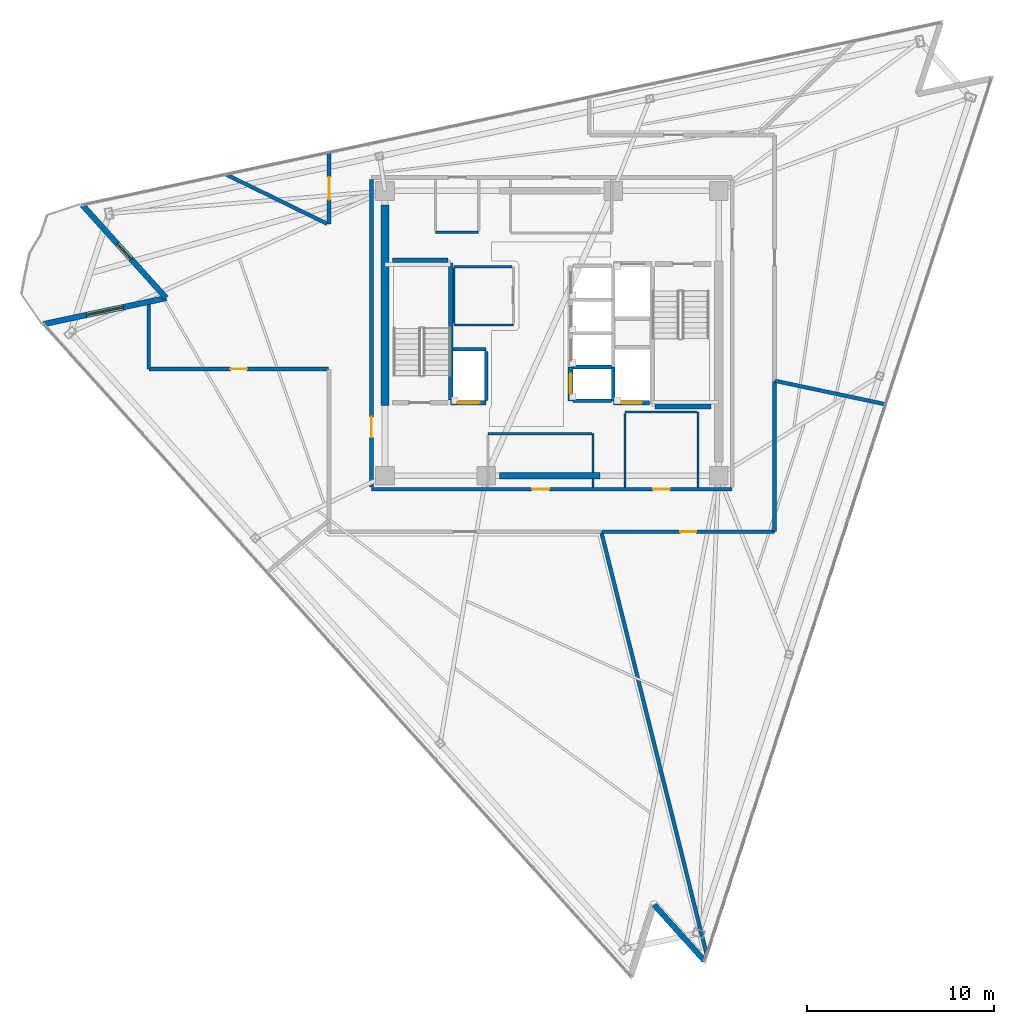
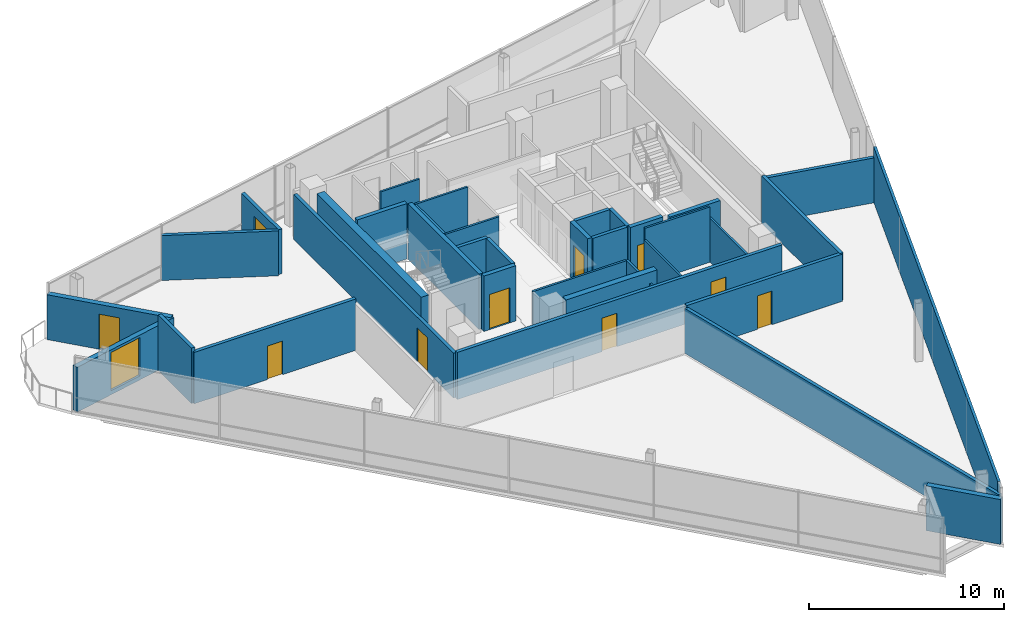
# One storey, part 10 of 15: 37 walls, 10 doors, 1 window, 11 openings.
"""IFC4 building model written with IfcOpenShell, lengths in metres."""

from ifc_helpers import new_model, si_unit, direction, frame, frame_2d, origin, place, context, subcontext, project, spatial, rectangle, extrude, material, layer, layer_set, type_object, element, fill, save


model = new_model("IFC4")

# Units and contexts
model_context = context("Model", 3, precision=1e-05, world=origin(), true_north=direction((0.0, 1.0)))
body_context = subcontext(model_context, "Body", "Model", "MODEL_VIEW")
ifc_project = project(units=[si_unit("LENGTHUNIT", "METRE"), si_unit("AREAUNIT", "SQUARE_METRE"), si_unit("VOLUMEUNIT", "CUBIC_METRE"), si_unit("PLANEANGLEUNIT", "RADIAN"), si_unit("MASSUNIT", "GRAM", prefix="KILO")], contexts=[model_context])

# Site, building, storey
site_placement = place(None, origin())
site = spatial("IfcSite", under=ifc_project, at=site_placement, CompositionType="ELEMENT")
building_placement = place(site_placement, origin())
building = spatial("IfcBuilding", under=site, at=building_placement, Name="Tharavind Bronze Gate", CompositionType="ELEMENT")
storey_placement = place(building_placement, frame((0.0, 0.0, 290.699951171875)))
storey = spatial("IfcBuildingStorey", under=building, at=storey_placement, Name="L75", CompositionType="ELEMENT", Elevation=290.699951171875)

# Wall, opening, door
ifc_material_1 = material(Name="Concrete C40/50", Category="concrete")
ifc_layer_1 = layer(ifc_material_1, 0.300048828125)
ifc_layer_set_1 = layer_set([ifc_layer_1], Name="Concrete C40/50")
wall_type_1 = type_object("IfcWallType", Name="EXTERIOR SPANDREL WALL 300", PredefinedType="STANDARD", material=ifc_layer_set_1)
wall_1_placement = place(storey_placement, frame((-25.041015625, 6.84814453125, 0.0), z_axis=(0.0, 0.0, 1.0), x_axis=(0.669132313306, -0.743143288532, 0.0)))
wall_1 = element("IfcWall", 1, at=wall_1_placement, inside=storey, type_object=wall_type_1, Name="L75 notch cheek wall 1A", PredefinedType="STANDARD", context=body_context, shape_type="SweptSolid", body=[
    extrude(rectangle(XDim=6.679931640625, YDim=0.300048828125, at=frame_2d((3.33984375, 0.0))), origin(), (0.0, 0.0, 1.0), 2.81005859375),
])
opening_1_placement = place(wall_1_placement, frame((2.7900390625, 0.0, 0.0)))
opening_1 = element("IfcOpeningElement", 2, at=opening_1_placement, cuts=wall_1, Name="Opening ED04", PredefinedType="OPENING", context=body_context, shape_type="SweptSolid", body=[
    extrude(rectangle(XDim=1.10009765625, YDim=2.199951171875, at=frame_2d((0.550048828125, 1.10009765625))), frame((0.0, 0.15990234375, 0.0), z_axis=(0.0, -1.0, 0.0), x_axis=(1.0, 0.0, 0.0)), (0.0, 0.0, 1.0), 0.320048828125),
])
ifc_material_2 = material(Name="Bronze Aluminium & Toughened Glass", Category="aluminium")
door_type_1 = type_object("IfcDoorType", Name="TREE BALCONY ACCESS DOOR 1100X2200", OperationType="SINGLE_SWING_LEFT", PredefinedType="DOOR", material=ifc_material_2)
door_1_placement = place(opening_1_placement, frame((1.10009765625, 0.0, 0.0), z_axis=(0.0, 0.0, 1.0), x_axis=(-1.0, 0.0, 0.0)))
door_1 = element("IfcDoor", 3, at=door_1_placement, inside=storey, type_object=door_type_1, Name="L75 tree balcony access door", OperationType="SINGLE_SWING_LEFT", OverallHeight=2.199951171875, OverallWidth=1.10009765625, PredefinedType="DOOR", context=body_context, shape_type="SweptSolid", body=[
    extrude(rectangle(XDim=1.10009765625, YDim=2.199951171875, at=frame_2d((0.550048828125, 1.10009765625))), frame((0.0, 0.02490234375, 0.0), z_axis=(0.0, -1.0, 0.0), x_axis=(1.0, 0.0, 0.0)), (0.0, 0.0, 1.0), 0.050048828125),
])
fill(opening_1, door_1)

# Wall, opening, window
wall_2_placement = place(storey_placement, frame((-20.5712890625, 1.884033203125, 0.0), z_axis=(0.0, 0.0, 1.0), x_axis=(-0.978145008547, -0.207923885724, 0.0)))
wall_2 = element("IfcWall", 4, at=wall_2_placement, inside=storey, type_object=wall_type_1, Name="L75 notch cheek wall 1B", PredefinedType="STANDARD", context=body_context, shape_type="SweptSolid", body=[
    extrude(rectangle(XDim=6.679931640625, YDim=0.300048828125, at=frame_2d((3.33984375, 0.0))), origin(), (0.0, 0.0, 1.0), 2.81005859375),
])
opening_2_placement = place(wall_2_placement, frame((2.340087890625, 0.0, 0.25)))
opening_2 = element("IfcOpeningElement", 5, at=opening_2_placement, cuts=wall_2, Name="Opening W06", PredefinedType="OPENING", context=body_context, shape_type="SweptSolid", body=[
    extrude(rectangle(XDim=2.0, YDim=2.39990234375, at=frame_2d((1.0, 1.199951171875))), frame((0.0, 0.15990234375, 0.0), z_axis=(0.0, -1.0, 0.0), x_axis=(1.0, 0.0, 0.0)), (0.0, 0.0, 1.0), 0.320048828125),
])
ifc_material_3 = material(Name="Bronze Aluminium & Low-E Glass", Category="aluminium")
window_type = type_object("IfcWindowType", Name="CROWN OBSERVATORY WINDOW 2000X2400", PartitioningType="DOUBLE_PANEL_VERTICAL", PredefinedType="WINDOW", material=ifc_material_3)
window_placement = place(opening_2_placement, origin())
window = element("IfcWindow", 6, at=window_placement, inside=storey, type_object=window_type, Name="L75 exterior window WL-L75-NCB1-01", OverallHeight=2.39990234375, OverallWidth=2.0, PartitioningType="SINGLE_PANEL", PredefinedType="WINDOW", context=body_context, shape_type="SweptSolid", body=[
    extrude(rectangle(XDim=2.0, YDim=2.39990234375, at=frame_2d((1.0, 1.199951171875))), frame((0.0, 0.030029296875, 0.0), z_axis=(0.0, -1.0, 0.0), x_axis=(1.0, 0.0, 0.0)), (0.0, 0.0, 1.0), 0.06005859375),
])
fill(opening_2, window)

# Wall
wall_3_placement = place(storey_placement, frame((5.459228515625, -30.484130859375, 0.0), z_axis=(0.0, 0.0, 1.0), x_axis=(0.669132983361, -0.743142685208, 0.0)))
element("IfcWall", 7, at=wall_3_placement, inside=storey, type_object=wall_type_1, Name="L75 notch cheek wall 2B", PredefinedType="STANDARD", context=body_context, shape_type="SweptSolid", body=[
    extrude(rectangle(XDim=4.008056640625, YDim=0.300048828125, at=frame_2d((2.00390625, 0.0))), origin(), (0.0, 0.0, 1.0), 2.81005859375),
])

# Wall, openings, doors
ifc_material_4 = material(Name="Aerated Concrete Block", Category="concrete")
ifc_layer_2 = layer(ifc_material_4, 0.199951171875)
ifc_layer_set_2 = layer_set([ifc_layer_2], Name="Aerated Concrete Block")
wall_type_2 = type_object("IfcWallType", Name="FIRE RATED PARTITION 200", PredefinedType="PARTITIONING", material=ifc_layer_set_2)
wall_4_placement = place(storey_placement, frame((-9.6201171875, -8.320068359375, 0.0), z_axis=(0.0, 0.0, 1.0), x_axis=(1.0, 0.0, 0.0)))
wall_4 = element("IfcWall", 8, at=wall_4_placement, inside=storey, type_object=wall_type_2, Name="L75 south core corridor wall", PredefinedType="PARTITIONING", context=body_context, shape_type="SweptSolid", body=[
    extrude(rectangle(XDim=19.240234375, YDim=0.199951171875, at=frame_2d((9.6201171875, 0.0))), origin(), (0.0, 0.0, 1.0), 2.9599609375),
])
opening_3_placement = place(wall_4_placement, frame((8.570068359375, 0.0, 0.0)))
opening_3 = element("IfcOpeningElement", 9, at=opening_3_placement, cuts=wall_4, Name="Opening ID07", PredefinedType="OPENING", context=body_context, shape_type="SweptSolid", body=[
    extrude(rectangle(XDim=0.89990234375, YDim=2.10009765625, at=frame_2d((0.449951171875, 1.050048828125))), frame((0.0, 0.11009765625, 0.0), z_axis=(0.0, -1.0, 0.0), x_axis=(1.0, 0.0, 0.0)), (0.0, 0.0, 1.0), 0.219951171875),
])
opening_4_placement = place(wall_4_placement, frame((15.02001953125, 0.0, 0.0)))
opening_4 = element("IfcOpeningElement", 10, at=opening_4_placement, cuts=wall_4, Name="Opening ID07", PredefinedType="OPENING", context=body_context, shape_type="SweptSolid", body=[
    extrude(rectangle(XDim=0.89990234375, YDim=2.10009765625, at=frame_2d((0.449951171875, 1.050048828125))), frame((0.0, 0.11009765625, 0.0), z_axis=(0.0, -1.0, 0.0), x_axis=(1.0, 0.0, 0.0)), (0.0, 0.0, 1.0), 0.219951171875),
])
ifc_material_5 = material(Name="Galvanised Fire Steel", Category="steel")
door_type_2 = type_object("IfcDoorType", Name="PLANT AND RISER FIRE DOOR 900X2100", OperationType="SINGLE_SWING_LEFT", PredefinedType="DOOR", material=ifc_material_5)
door_2_placement = place(opening_3_placement, origin())
door_2 = element("IfcDoor", 11, at=door_2_placement, inside=storey, type_object=door_type_2, Name="L75 Core BMS Control Room fire door", OperationType="SINGLE_SWING_LEFT", OverallHeight=2.10009765625, OverallWidth=0.89990234375, PredefinedType="DOOR", context=body_context, shape_type="SweptSolid", body=[
    extrude(rectangle(XDim=0.89990234375, YDim=2.10009765625, at=frame_2d((0.449951171875, 1.050048828125))), frame((0.0, 0.02490234375, 0.0), z_axis=(0.0, -1.0, 0.0), x_axis=(1.0, 0.0, 0.0)), (0.0, 0.0, 1.0), 0.050048828125),
])
fill(opening_3, door_2)
door_3_placement = place(opening_4_placement, origin())
door_3 = element("IfcDoor", 12, at=door_3_placement, inside=storey, type_object=door_type_2, Name="L75 Telecom Metering Room fire door", OperationType="SINGLE_SWING_LEFT", OverallHeight=2.10009765625, OverallWidth=0.89990234375, PredefinedType="DOOR", context=body_context, shape_type="SweptSolid", body=[
    extrude(rectangle(XDim=0.89990234375, YDim=2.10009765625, at=frame_2d((0.449951171875, 1.050048828125))), frame((0.0, 0.02490234375, 0.0), z_axis=(0.0, -1.0, 0.0), x_axis=(1.0, 0.0, 0.0)), (0.0, 0.0, 1.0), 0.050048828125),
])
fill(opening_4, door_3)

# Wall, opening, door
wall_5_placement = place(storey_placement, frame((-9.6201171875, 8.199951171875, 0.0), z_axis=(0.0, 0.0, 1.0), x_axis=(0.0, -1.0, 0.0)))
wall_5 = element("IfcWall", 13, at=wall_5_placement, inside=storey, type_object=wall_type_2, Name="L75 west core corridor wall", PredefinedType="PARTITIONING", context=body_context, shape_type="SweptSolid", body=[
    extrude(rectangle(XDim=16.39990234375, YDim=0.199951171875, at=frame_2d((8.199951171875, 0.0))), origin(), (0.0, 0.0, 1.0), 2.81005859375),
])
opening_5_placement = place(wall_5_placement, frame((12.64990234375, 0.0, 0.0)))
opening_5 = element("IfcOpeningElement", 14, at=opening_5_placement, cuts=wall_5, Name="Opening ID01", PredefinedType="OPENING", context=body_context, shape_type="SweptSolid", body=[
    extrude(rectangle(XDim=1.10009765625, YDim=2.14990234375, at=frame_2d((0.550048828125, 1.074951171875))), frame((0.0, 0.11009765625, 0.0), z_axis=(0.0, -1.0, 0.0), x_axis=(1.0, 0.0, 0.0)), (0.0, 0.0, 1.0), 0.219951171875),
])
ifc_material_6 = material(Name="Fire-Rated Steel", Category="steel")
door_type_3 = type_object("IfcDoorType", Name="STAIR CORE FIRE DOOR 1100X2150", OperationType="SINGLE_SWING_LEFT", PredefinedType="DOOR", material=ifc_material_6)
door_4_placement = place(opening_5_placement, frame((1.10009765625, 0.0, 0.0), z_axis=(0.0, 0.0, 1.0), x_axis=(-1.0, 0.0, 0.0)))
door_4 = element("IfcDoor", 15, at=door_4_placement, inside=storey, type_object=door_type_3, Name="L75 south west stair lobby fire door", OperationType="SINGLE_SWING_LEFT", OverallHeight=2.14990234375, OverallWidth=1.10009765625, PredefinedType="DOOR", context=body_context, shape_type="SweptSolid", body=[
    extrude(rectangle(XDim=1.10009765625, YDim=2.14990234375, at=frame_2d((0.550048828125, 1.074951171875))), frame((0.0, 0.02490234375, 0.0), z_axis=(0.0, -1.0, 0.0), x_axis=(1.0, 0.0, 0.0)), (0.0, 0.0, 1.0), 0.050048828125),
])
fill(opening_5, door_4)

# Wall
wall_6_placement = place(storey_placement, frame((8.255615234375, -33.111083984375, 0.0), z_axis=(0.0, 0.0, 1.0), x_axis=(-0.241931126379, 0.970293424738, 0.0)))
element("IfcWall", 16, at=wall_6_placement, inside=storey, type_object=wall_type_2, Name="L75 Public Restrooms Block partition", PredefinedType="PARTITIONING", context=body_context, shape_type="SweptSolid", body=[
    extrude(rectangle(XDim=23.18896484375, YDim=0.199951171875, at=frame_2d((11.594482421875, 0.0))), origin(), (0.0, 0.0, 1.0), 2.81005859375),
])

# Wall, opening, door
wall_7_placement = place(storey_placement, frame((2.669921875, -10.580078125, 0.0), z_axis=(0.0, 0.0, 1.0), x_axis=(1.0, 0.0, 0.0)))
wall_7 = element("IfcWall", 17, at=wall_7_placement, inside=storey, type_object=wall_type_2, Name="L75 Public Restrooms Block partition", PredefinedType="PARTITIONING", context=body_context, shape_type="SweptSolid", body=[
    extrude(rectangle(XDim=9.20947265625, YDim=0.199951171875, at=frame_2d((4.604736328125, 0.0))), origin(), (0.0, 0.0, 1.0), 2.9599609375),
])
opening_6_placement = place(wall_7_placement, frame((4.179931640625, 0.0, 0.0)))
opening_6 = element("IfcOpeningElement", 18, at=opening_6_placement, cuts=wall_7, Name="Opening ID06", PredefinedType="OPENING", context=body_context, shape_type="SweptSolid", body=[
    extrude(rectangle(XDim=0.85009765625, YDim=2.10009765625, at=frame_2d((0.425048828125, 1.050048828125))), frame((0.0, 0.11009765625, 0.0), z_axis=(0.0, -1.0, 0.0), x_axis=(1.0, 0.0, 0.0)), (0.0, 0.0, 1.0), 0.219951171875),
])
ifc_material_7 = material(Name="Moisture-Resistant Timber", Category="wood")
door_type_4 = type_object("IfcDoorType", Name="BATHROOM PRIVACY DOOR 850X2100", OperationType="SINGLE_SWING_RIGHT", PredefinedType="DOOR", material=ifc_material_7)
door_5_placement = place(opening_6_placement, origin())
door_5 = element("IfcDoor", 19, at=door_5_placement, inside=storey, type_object=door_type_4, Name="L75 Public Restrooms Block door", OperationType="SINGLE_SWING_RIGHT", OverallHeight=2.10009765625, OverallWidth=0.85009765625, PredefinedType="DOOR", context=body_context, shape_type="SweptSolid", body=[
    extrude(rectangle(XDim=0.85009765625, YDim=2.10009765625, at=frame_2d((0.425048828125, 1.050048828125))), frame((0.0, 0.02490234375, 0.0), z_axis=(0.0, -1.0, 0.0), x_axis=(1.0, 0.0, 0.0)), (0.0, 0.0, 1.0), 0.050048828125),
])
fill(opening_6, door_5)

# Walls
wall_8_placement = place(storey_placement, frame((11.8798828125, -10.579345703125, 0.0), z_axis=(0.0, 0.0, 1.0), x_axis=(0.0, 1.0, 0.0)))
element("IfcWall", 20, at=wall_8_placement, inside=storey, type_object=wall_type_2, Name="L75 Public Restrooms Block partition", PredefinedType="PARTITIONING", context=body_context, shape_type="SweptSolid", body=[
    extrude(rectangle(XDim=8.0234375, YDim=0.199951171875, at=frame_2d((4.01171875, 0.0))), origin(), (0.0, 0.0, 1.0), 2.9599609375),
])
wall_9_placement = place(storey_placement, frame((11.91015625, -2.531494140625, 0.0), z_axis=(0.0, 0.0, 1.0), x_axis=(0.978144111738, -0.207928104574, 0.0)))
element("IfcWall", 21, at=wall_9_placement, inside=storey, type_object=wall_type_2, Name="L75 Public Restrooms Block partition", PredefinedType="PARTITIONING", context=body_context, shape_type="SweptSolid", body=[
    extrude(rectangle(XDim=5.978759765625, YDim=0.199951171875, at=frame_2d((2.9892578125, 0.0))), origin(), (0.0, 0.0, 1.0), 2.81005859375),
])

# Wall, opening, door
wall_10_placement = place(storey_placement, frame((-11.8798828125, 9.645751953125, 0.0), z_axis=(0.0, 0.0, 1.0), x_axis=(0.0, -1.0, 0.0)))
wall_10 = element("IfcWall", 22, at=wall_10_placement, inside=storey, type_object=wall_type_2, Name="L75 Crown Members Salon partition", PredefinedType="PARTITIONING", context=body_context, shape_type="SweptSolid", body=[
    extrude(rectangle(XDim=3.8115234375, YDim=0.199951171875, at=frame_2d((1.90576171875, 0.0))), origin(), (0.0, 0.0, 1.0), 2.81005859375),
])
opening_7_placement = place(wall_10_placement, frame((1.305908203125, 0.0, 0.0)))
opening_7 = element("IfcOpeningElement", 23, at=opening_7_placement, cuts=wall_10, Name="Opening ID05", PredefinedType="OPENING", context=body_context, shape_type="SweptSolid", body=[
    extrude(rectangle(XDim=1.199951171875, YDim=2.14990234375, at=frame_2d((0.60009765625, 1.074951171875))), frame((0.0, 0.11009765625, 0.0), z_axis=(0.0, -1.0, 0.0), x_axis=(1.0, 0.0, 0.0)), (0.0, 0.0, 1.0), 0.219951171875),
])
ifc_material_8 = material(Name="Acoustic Laminated Glass", Category="glass")
door_type_5 = type_object("IfcDoorType", Name="MEETING ROOM GLAZED DOOR 1200X2150", OperationType="SINGLE_SWING_LEFT", PredefinedType="DOOR", material=ifc_material_8)
door_6_placement = place(opening_7_placement, origin())
door_6 = element("IfcDoor", 24, at=door_6_placement, inside=storey, type_object=door_type_5, Name="L75 Crown Members Salon door", OperationType="SINGLE_SWING_LEFT", OverallHeight=2.14990234375, OverallWidth=1.199951171875, PredefinedType="DOOR", context=body_context, shape_type="SweptSolid", body=[
    extrude(rectangle(XDim=1.199951171875, YDim=2.14990234375, at=frame_2d((0.60009765625, 1.074951171875))), frame((0.0, 0.02490234375, 0.0), z_axis=(0.0, -1.0, 0.0), x_axis=(1.0, 0.0, 0.0)), (0.0, 0.0, 1.0), 0.050048828125),
])
fill(opening_7, door_6)

# Walls
wall_11_placement = place(storey_placement, frame((-11.985107421875, 5.845458984375, 0.0), z_axis=(0.0, 0.0, 1.0), x_axis=(-0.898777045876, 0.438406001107, 0.0)))
element("IfcWall", 25, at=wall_11_placement, inside=storey, type_object=wall_type_2, Name="L75 Crown Members Salon partition", PredefinedType="PARTITIONING", context=body_context, shape_type="SweptSolid", body=[
    extrude(rectangle(XDim=6.002197265625, YDim=0.199951171875, at=frame_2d((3.0009765625, 0.0))), origin(), (0.0, 0.0, 1.0), 2.81005859375),
])
wall_12_placement = place(storey_placement, frame((-21.5, 1.528076171875, 0.0), z_axis=(0.0, 0.0, 1.0), x_axis=(0.0, -1.0, 0.0)))
element("IfcWall", 26, at=wall_12_placement, inside=storey, type_object=wall_type_2, Name="L75 Commercial Tasting Kitchen partition", PredefinedType="PARTITIONING", context=body_context, shape_type="SweptSolid", body=[
    extrude(rectangle(XDim=3.427490234375, YDim=0.199951171875, at=frame_2d((1.7138671875, 0.0))), origin(), (0.0, 0.0, 1.0), 3.465087890625),
])

# Wall, opening, door
wall_13_placement = place(storey_placement, frame((-21.49951171875, -1.89990234375, 0.0), z_axis=(0.0, 0.0, 1.0), x_axis=(1.0, 0.0, 0.0)))
wall_13 = element("IfcWall", 27, at=wall_13_placement, inside=storey, type_object=wall_type_2, Name="L75 Commercial Tasting Kitchen partition", PredefinedType="PARTITIONING", context=body_context, shape_type="SweptSolid", body=[
    extrude(rectangle(XDim=9.594482421875, YDim=0.199951171875, at=frame_2d((4.79736328125, 0.0))), origin(), (0.0, 0.0, 1.0), 3.219970703125),
])
opening_8_placement = place(wall_13_placement, frame((4.346923828125, 0.0, 0.0)))
opening_8 = element("IfcOpeningElement", 28, at=opening_8_placement, cuts=wall_13, Name="Opening ID07", PredefinedType="OPENING", context=body_context, shape_type="SweptSolid", body=[
    extrude(rectangle(XDim=0.89990234375, YDim=2.10009765625, at=frame_2d((0.449951171875, 1.050048828125))), frame((0.0, 0.11009765625, 0.0), z_axis=(0.0, -1.0, 0.0), x_axis=(1.0, 0.0, 0.0)), (0.0, 0.0, 1.0), 0.219951171875),
])
door_7_placement = place(opening_8_placement, origin())
door_7 = element("IfcDoor", 29, at=door_7_placement, inside=storey, type_object=door_type_2, Name="L75 Commercial Tasting Kitchen door", OperationType="SINGLE_SWING_LEFT", OverallHeight=2.10009765625, OverallWidth=0.89990234375, PredefinedType="DOOR", context=body_context, shape_type="SweptSolid", body=[
    extrude(rectangle(XDim=0.89990234375, YDim=2.10009765625, at=frame_2d((0.449951171875, 1.050048828125))), frame((0.0, 0.02490234375, 0.0), z_axis=(0.0, -1.0, 0.0), x_axis=(1.0, 0.0, 0.0)), (0.0, 0.0, 1.0), 0.050048828125),
])
fill(opening_8, door_7)

# Walls
ifc_material_9 = material(Name="Metal Stud Gypsum Partition", Category="gypsum")
ifc_layer_3 = layer(ifc_material_9, 0.1201171875)
ifc_layer_set_3 = layer_set([ifc_layer_3], Name="Metal Stud Gypsum Partition")
wall_type_3 = type_object("IfcWallType", Name="INTERIOR PARTITION WALL 120", PredefinedType="PARTITIONING", material=ifc_layer_set_3)
wall_14_placement = place(storey_placement, frame((-5.219970703125, 0.449951171875, 0.0), z_axis=(0.0, 0.0, 1.0), x_axis=(1.0, 0.0, 0.0)))
element("IfcWall", 30, at=wall_14_placement, inside=storey, type_object=wall_type_3, Name="L75 Electrical & Telecom Store partition 1", PredefinedType="PARTITIONING", context=body_context, shape_type="SweptSolid", body=[
    extrude(rectangle(XDim=3.169921875, YDim=0.1201171875, at=frame_2d((1.5849609375, 0.0))), origin(), (0.0, 0.0, 1.0), 3.465087890625),
])
wall_15_placement = place(storey_placement, frame((-2.114990234375, 3.550048828125, 0.0), z_axis=(0.0, 0.0, 1.0), x_axis=(-1.0, 0.0, 0.0)))
element("IfcWall", 31, at=wall_15_placement, inside=storey, type_object=wall_type_3, Name="L75 Electrical & Telecom Store partition 3", PredefinedType="PARTITIONING", context=body_context, shape_type="SweptSolid", body=[
    extrude(rectangle(XDim=3.10498046875, YDim=0.1201171875, at=frame_2d((1.552490234375, 0.0))), origin(), (0.0, 0.0, 1.0), 3.465087890625),
])
wall_16_placement = place(storey_placement, frame((-5.219970703125, 3.485107421875, 0.0), z_axis=(0.0, 0.0, 1.0), x_axis=(0.0, -1.0, 0.0)))
element("IfcWall", 32, at=wall_16_placement, inside=storey, type_object=wall_type_3, Name="L75 Electrical & Telecom Store partition 4", PredefinedType="PARTITIONING", context=body_context, shape_type="SweptSolid", body=[
    extrude(rectangle(XDim=2.97021484375, YDim=0.1201171875, at=frame_2d((1.485107421875, 0.0))), origin(), (0.0, 0.0, 1.0), 3.465087890625),
])
wall_17_placement = place(storey_placement, frame((2.199951171875, -8.215087890625, 0.0), z_axis=(0.0, 0.0, 1.0), x_axis=(0.0, 1.0, 0.0)))
element("IfcWall", 33, at=wall_17_placement, inside=storey, type_object=wall_type_3, Name="L75 Core BMS Control Room partition 2", PredefinedType="PARTITIONING", context=body_context, shape_type="SweptSolid", body=[
    extrude(rectangle(XDim=0.43505859375, YDim=0.1201171875, at=frame_2d((0.217529296875, 0.0))), origin(), (0.0, 0.0, 1.0), 2.760009765625),
])
wall_18_placement = place(storey_placement, frame((2.199951171875, -7.419921875, 0.0), z_axis=(0.0, 0.0, 1.0), x_axis=(0.0, 1.0, 0.0)))
element("IfcWall", 34, at=wall_18_placement, inside=storey, type_object=wall_type_3, Name="L75 Core BMS Control Room partition 2", PredefinedType="PARTITIONING", context=body_context, shape_type="SweptSolid", body=[
    extrude(rectangle(XDim=2.06982421875, YDim=0.1201171875, at=frame_2d((1.034912109375, 0.0))), origin(), (0.0, 0.0, 1.0), 2.760009765625),
])
wall_19_placement = place(storey_placement, frame((2.135009765625, -5.35009765625, 0.0), z_axis=(0.0, 0.0, 1.0), x_axis=(-1.0, 0.0, 0.0)))
element("IfcWall", 35, at=wall_19_placement, inside=storey, type_object=wall_type_3, Name="L75 Core BMS Control Room partition 3", PredefinedType="PARTITIONING", context=body_context, shape_type="SweptSolid", body=[
    extrude(rectangle(XDim=5.534912109375, YDim=0.1201171875, at=frame_2d((2.767578125, 0.0))), origin(), (0.0, 0.0, 1.0), 2.760009765625),
])
wall_20_placement = place(storey_placement, frame((-6.199951171875, 5.39990234375, 0.0), z_axis=(0.0, 0.0, 1.0), x_axis=(1.0, 0.0, 0.0)))
element("IfcWall", 36, at=wall_20_placement, inside=storey, type_object=wall_type_3, Name="L75 Electrical Switch Cupboard partition 1", PredefinedType="PARTITIONING", context=body_context, shape_type="SweptSolid", body=[
    extrude(rectangle(XDim=2.300048828125, YDim=0.1201171875, at=frame_2d((1.14990234375, 0.0))), origin(), (0.0, 0.0, 1.0), 3.465087890625),
])
wall_21_placement = place(storey_placement, frame((7.800048828125, -8.215087890625, 0.0), z_axis=(0.0, 0.0, 1.0), x_axis=(0.0, 1.0, 0.0)))
element("IfcWall", 37, at=wall_21_placement, inside=storey, type_object=wall_type_3, Name="L75 Telecom Metering Room partition 2", PredefinedType="PARTITIONING", context=body_context, shape_type="SweptSolid", body=[
    extrude(rectangle(XDim=4.01513671875, YDim=0.1201171875, at=frame_2d((2.007568359375, 0.0))), origin(), (0.0, 0.0, 1.0), 2.760009765625),
])
wall_22_placement = place(storey_placement, frame((7.735107421875, -4.199951171875, 0.0), z_axis=(0.0, 0.0, 1.0), x_axis=(-1.0, 0.0, 0.0)))
element("IfcWall", 38, at=wall_22_placement, inside=storey, type_object=wall_type_3, Name="L75 Telecom Metering Room partition 3", PredefinedType="PARTITIONING", context=body_context, shape_type="SweptSolid", body=[
    extrude(rectangle(XDim=3.835205078125, YDim=0.1201171875, at=frame_2d((1.91748046875, 0.0))), origin(), (0.0, 0.0, 1.0), 3.465087890625),
])
wall_23_placement = place(storey_placement, frame((3.89990234375, -4.264892578125, 0.0), z_axis=(0.0, 0.0, 1.0), x_axis=(0.0, -1.0, 0.0)))
element("IfcWall", 39, at=wall_23_placement, inside=storey, type_object=wall_type_3, Name="L75 Telecom Metering Room partition 4", PredefinedType="PARTITIONING", context=body_context, shape_type="SweptSolid", body=[
    extrude(rectangle(XDim=3.9501953125, YDim=0.1201171875, at=frame_2d((1.97509765625, 0.0))), origin(), (0.0, 0.0, 1.0), 2.760009765625),
])
ifc_material_10 = material(Name="Twin Stud Acoustic Gypsum", Category="gypsum")
ifc_layer_4 = layer(ifc_material_10, 0.14990234375)
ifc_layer_set_4 = layer_set([ifc_layer_4], Name="Twin Stud Acoustic Gypsum")
wall_type_4 = type_object("IfcWallType", Name="INTERIOR PARTITION WALL 150", PredefinedType="PARTITIONING", material=ifc_layer_set_4)
wall_24_placement = place(storey_placement, frame((17.777099609375, -3.806884765625, 0.0), z_axis=(0.0, 0.0, 1.0), x_axis=(-0.309024581215, -0.951054051148, 0.0)))
element("IfcWall", 40, at=wall_24_placement, inside=storey, type_object=wall_type_4, Name="L75 Public Restrooms Block partition", PredefinedType="PARTITIONING", context=body_context, shape_type="SweptSolid", body=[
    extrude(rectangle(XDim=30.614013671875, YDim=0.14990234375, at=frame_2d((15.30712890625, 0.0))), origin(), (0.0, 0.0, 1.0), 3.465087890625),
])
ifc_material_11 = material(Name="Concrete C50/60", Category="concrete")
ifc_layer_5 = layer(ifc_material_11, 0.25)
ifc_layer_set_5 = layer_set([ifc_layer_5], Name="Concrete C50/60")
wall_type_5 = type_object("IfcWallType", Name="RC CORE SHEAR WALL 250", PredefinedType="SHEAR", material=ifc_layer_set_5)
wall_25_placement = place(storey_placement, frame((-5.39990234375, -3.550048828125, 0.0), z_axis=(0.0, 0.0, 1.0), x_axis=(0.0, 1.0, 0.0)))
element("IfcWall", 41, at=wall_25_placement, inside=storey, type_object=wall_type_5, Name="L75 ST1 shaft east wall", PredefinedType="SHEAR", context=body_context, shape_type="SweptSolid", body=[
    extrude(rectangle(XDim=7.300048828125, YDim=0.25, at=frame_2d((3.64990234375, 0.0))), origin(), (0.0, 0.0, 1.0), 3.465087890625),
])
wall_26_placement = place(storey_placement, frame((-8.5, 3.89990234375, 0.0), z_axis=(0.0, 0.0, 1.0), x_axis=(1.0, 0.0, 0.0)))
element("IfcWall", 42, at=wall_26_placement, inside=storey, type_object=wall_type_5, Name="L75 ST1 shaft north wall", PredefinedType="SHEAR", context=body_context, shape_type="SweptSolid", body=[
    extrude(rectangle(XDim=2.949951171875, YDim=0.25, at=frame_2d((1.47509765625, 0.0))), origin(), (0.0, 0.0, 1.0), 3.465087890625),
])
wall_27_placement = place(storey_placement, frame((5.5, -3.89990234375, 0.0), z_axis=(0.0, 0.0, 1.0), x_axis=(1.0, 0.0, 0.0)))
element("IfcWall", 43, at=wall_27_placement, inside=storey, type_object=wall_type_5, Name="L75 ST2 shaft south wall", PredefinedType="SHEAR", context=body_context, shape_type="SweptSolid", body=[
    extrude(rectangle(XDim=3.0, YDim=0.25, at=frame_2d((1.5, 0.0))), origin(), (0.0, 0.0, 1.0), 3.465087890625),
])

# Wall, opening, door
wall_28_placement = place(storey_placement, frame((1.0, -3.60009765625, 0.0), z_axis=(0.0, 0.0, 1.0), x_axis=(0.0, 1.0, 0.0)))
wall_28 = element("IfcWall", 44, at=wall_28_placement, inside=storey, type_object=wall_type_5, Name="L75 lift PL9 shaft front wall", PredefinedType="SHEAR", context=body_context, shape_type="SweptSolid", body=[
    extrude(rectangle(XDim=1.800048828125, YDim=0.25, at=frame_2d((0.89990234375, 0.0))), origin(), (0.0, 0.0, 1.0), 3.465087890625),
])
opening_9_placement = place(wall_28_placement, frame((0.35009765625, 0.0, 0.0)))
opening_9 = element("IfcOpeningElement", 45, at=opening_9_placement, cuts=wall_28, Name="Opening LD01", PredefinedType="OPENING", context=body_context, shape_type="SweptSolid", body=[
    extrude(rectangle(XDim=1.10009765625, YDim=2.199951171875, at=frame_2d((0.550048828125, 1.10009765625))), frame((0.0, 0.135, 0.0), z_axis=(0.0, -1.0, 0.0), x_axis=(1.0, 0.0, 0.0)), (0.0, 0.0, 1.0), 0.27),
])
ifc_material_12 = material(Name="Brushed Bronze Stainless Steel", Category="steel")
door_type_6 = type_object("IfcDoorType", Name="LIFT LANDING SLIDING DOOR 1100X2200", OperationType="SLIDING_TO_LEFT", PredefinedType="DOOR", material=ifc_material_12)
door_8_placement = place(opening_9_placement, origin())
door_8 = element("IfcDoor", 46, at=door_8_placement, inside=storey, type_object=door_type_6, Name="L75 lift PL9 sliding landing door", OperationType="SLIDING_TO_LEFT", OverallHeight=2.199951171875, OverallWidth=1.10009765625, PredefinedType="DOOR", context=body_context, shape_type="SweptSolid", body=[
    extrude(rectangle(XDim=1.10009765625, YDim=2.199951171875, at=frame_2d((0.550048828125, 1.10009765625))), frame((0.0, 0.02490234375, 0.0), z_axis=(0.0, -1.0, 0.0), x_axis=(1.0, 0.0, 0.0)), (0.0, 0.0, 1.0), 0.050048828125),
])
fill(opening_9, door_8)

wall_29_placement = place(storey_placement, frame((-5.39990234375, -3.699951171875, 0.0), z_axis=(0.0, 0.0, 1.0), x_axis=(1.0, 0.0, 0.0)))
wall_29 = element("IfcWall", 47, at=wall_29_placement, inside=storey, type_object=wall_type_5, Name="L75 lift FFL1 shaft front wall", PredefinedType="SHEAR", context=body_context, shape_type="SweptSolid", body=[
    extrude(rectangle(XDim=1.89990234375, YDim=0.25, at=frame_2d((0.949951171875, 0.0))), origin(), (0.0, 0.0, 1.0), 3.465087890625),
])
opening_10_placement = place(wall_29_placement, frame((0.35009765625, 0.0, 0.0)))
opening_10 = element("IfcOpeningElement", 48, at=opening_10_placement, cuts=wall_29, Name="Opening LD02", PredefinedType="OPENING", context=body_context, shape_type="SweptSolid", body=[
    extrude(rectangle(XDim=1.199951171875, YDim=2.199951171875, at=frame_2d((0.60009765625, 1.10009765625))), frame((0.0, 0.135, 0.0), z_axis=(0.0, -1.0, 0.0), x_axis=(1.0, 0.0, 0.0)), (0.0, 0.0, 1.0), 0.27),
])
ifc_material_13 = material(Name="Brushed Stainless Steel", Category="steel")
door_type_7 = type_object("IfcDoorType", Name="FIREFIGHTING LIFT LANDING DOOR 1200X2200", OperationType="SLIDING_TO_RIGHT", PredefinedType="DOOR", material=ifc_material_13)
door_9_placement = place(opening_10_placement, origin())
door_9 = element("IfcDoor", 49, at=door_9_placement, inside=storey, type_object=door_type_7, Name="L75 lift FFL1 sliding landing door", OperationType="SLIDING_TO_RIGHT", OverallHeight=2.199951171875, OverallWidth=1.199951171875, PredefinedType="DOOR", context=body_context, shape_type="SweptSolid", body=[
    extrude(rectangle(XDim=1.199951171875, YDim=2.199951171875, at=frame_2d((0.60009765625, 1.10009765625))), frame((0.0, 0.02490234375, 0.0), z_axis=(0.0, -1.0, 0.0), x_axis=(1.0, 0.0, 0.0)), (0.0, 0.0, 1.0), 0.050048828125),
])
fill(opening_10, door_9)

wall_30_placement = place(storey_placement, frame((3.280029296875, -3.699951171875, 0.0), z_axis=(0.0, 0.0, 1.0), x_axis=(1.0, 0.0, 0.0)))
wall_30 = element("IfcWall", 50, at=wall_30_placement, inside=storey, type_object=wall_type_5, Name="L75 lift SVL1 shaft front wall", PredefinedType="SHEAR", context=body_context, shape_type="SweptSolid", body=[
    extrude(rectangle(XDim=1.93994140625, YDim=0.25, at=frame_2d((0.969970703125, 0.0))), origin(), (0.0, 0.0, 1.0), 3.465087890625),
])
opening_11_placement = place(wall_30_placement, frame((0.419921875, 0.0, 0.0)))
opening_11 = element("IfcOpeningElement", 51, at=opening_11_placement, cuts=wall_30, Name="Opening LD01", PredefinedType="OPENING", context=body_context, shape_type="SweptSolid", body=[
    extrude(rectangle(XDim=1.10009765625, YDim=2.199951171875, at=frame_2d((0.550048828125, 1.10009765625))), frame((0.0, 0.135, 0.0), z_axis=(0.0, -1.0, 0.0), x_axis=(1.0, 0.0, 0.0)), (0.0, 0.0, 1.0), 0.27),
])
door_10_placement = place(opening_11_placement, origin())
door_10 = element("IfcDoor", 52, at=door_10_placement, inside=storey, type_object=door_type_6, Name="L75 lift SVL1 sliding landing door", OperationType="SLIDING_TO_LEFT", OverallHeight=2.199951171875, OverallWidth=1.10009765625, PredefinedType="DOOR", context=body_context, shape_type="SweptSolid", body=[
    extrude(rectangle(XDim=1.10009765625, YDim=2.199951171875, at=frame_2d((0.550048828125, 1.10009765625))), frame((0.0, 0.02490234375, 0.0), z_axis=(0.0, -1.0, 0.0), x_axis=(1.0, 0.0, 0.0)), (0.0, 0.0, 1.0), 0.050048828125),
])
fill(opening_11, door_10)

# Walls
ifc_layer_6 = layer(ifc_material_11, 0.35009765625)
ifc_layer_set_6 = layer_set([ifc_layer_6], Name="Concrete C50/60")
wall_type_6 = type_object("IfcWallType", Name="RC CORE SHEAR WALL 350", PredefinedType="SHEAR", material=ifc_layer_set_6)
wall_31_placement = place(storey_placement, frame((-2.800048828125, -7.60009765625, 0.0), z_axis=(0.0, 0.0, 1.0), x_axis=(1.0, 0.0, 0.0)))
element("IfcWall", 53, at=wall_31_placement, inside=storey, type_object=wall_type_6, Name="L75 south core shear wall", PredefinedType="SHEAR", context=body_context, shape_type="SweptSolid", body=[
    extrude(rectangle(XDim=5.380126953125, YDim=0.35009765625, at=frame_2d((2.68994140625, 0.0))), origin(), (0.0, 0.0, 1.0), 3.465087890625),
])
ifc_material_14 = material(Name="Concrete C60/75", Category="concrete")
ifc_layer_7 = layer(ifc_material_14, 0.449951171875)
ifc_layer_set_7 = layer_set([ifc_layer_7], Name="Concrete C60/75")
wall_type_7 = type_object("IfcWallType", Name="RC CORE SHEAR WALL 450", PredefinedType="SHEAR", material=ifc_layer_set_7)
wall_32_placement = place(storey_placement, frame((-8.89990234375, -3.85009765625, 0.0), z_axis=(0.0, 0.0, 1.0), x_axis=(0.0, 1.0, 0.0)))
element("IfcWall", 54, at=wall_32_placement, inside=storey, type_object=wall_type_7, Name="L75 west core shear wall", PredefinedType="SHEAR", context=body_context, shape_type="SweptSolid", body=[
    extrude(rectangle(XDim=10.7001953125, YDim=0.449951171875, at=frame_2d((5.35009765625, 0.0))), origin(), (0.0, 0.0, 1.0), 3.465087890625),
])
ifc_layer_8 = layer(ifc_material_1, 0.199951171875)
ifc_layer_set_8 = layer_set([ifc_layer_8], Name="Concrete C40/50")
wall_type_8 = type_object("IfcWallType", Name="SHAFT ENCLOSURE WALL 200", PredefinedType="PARTITIONING", material=ifc_layer_set_8)
wall_33_placement = place(storey_placement, frame((3.280029296875, -3.60009765625, 0.0), z_axis=(0.0, 0.0, 1.0), x_axis=(0.0, 1.0, 0.0)))
element("IfcWall", 55, at=wall_33_placement, inside=storey, type_object=wall_type_8, Name="L75 lift PL9 shaft E enclosure wall", PredefinedType="PARTITIONING", context=body_context, shape_type="SweptSolid", body=[
    extrude(rectangle(XDim=1.800048828125, YDim=0.199951171875, at=frame_2d((0.89990234375, 0.0))), origin(), (0.0, 0.0, 1.0), 3.465087890625),
])
for number, where, z_axis, x_axis, name in (
    (56, (1.1298828125, -3.60009765625, 0.0), (0.0, 0.0, 1.0), (1.0, 0.0, 0.0), "L75 lift PL9 shaft S enclosure wall"),
    (57, (1.1298828125, -1.800048828125, 0.0), (0.0, 0.0, 1.0), (1.0, 0.0, 0.0), "L75 lift PL9 shaft N enclosure wall"),
):
    element("IfcWall", number, at=place(storey_placement, frame(where, z_axis=z_axis, x_axis=x_axis)), inside=storey, type_object=wall_type_8, Name=name, PredefinedType="PARTITIONING", context=body_context, shape_type="SweptSolid", body=[
        extrude(rectangle(XDim=2.045166015625, YDim=0.199951171875, at=frame_2d((1.0224609375, 0.0))), origin(), (0.0, 0.0, 1.0), 3.465087890625),
    ])
wall_34_placement = place(storey_placement, frame((-5.27001953125, -0.85009765625, 0.0), z_axis=(0.0, 0.0, 1.0), x_axis=(1.0, 0.0, 0.0)))
element("IfcWall", 58, at=wall_34_placement, inside=storey, type_object=wall_type_8, Name="L75 lift FFL1 shaft N enclosure wall", PredefinedType="PARTITIONING", context=body_context, shape_type="SweptSolid", body=[
    extrude(rectangle(XDim=1.77001953125, YDim=0.199951171875, at=frame_2d((0.885009765625, 0.0))), origin(), (0.0, 0.0, 1.0), 3.465087890625),
])
wall_35_placement = place(storey_placement, frame((-3.5, -3.570068359375, 0.0), z_axis=(0.0, 0.0, 1.0), x_axis=(0.0, 1.0, 0.0)))
element("IfcWall", 59, at=wall_35_placement, inside=storey, type_object=wall_type_8, Name="L75 lift FFL1 shaft E enclosure wall", PredefinedType="PARTITIONING", context=body_context, shape_type="SweptSolid", body=[
    extrude(rectangle(XDim=2.614990234375, YDim=0.199951171875, at=frame_2d((1.3076171875, 0.0))), origin(), (0.0, 0.0, 1.0), 3.465087890625),
])

save(model, "model.ifc")
